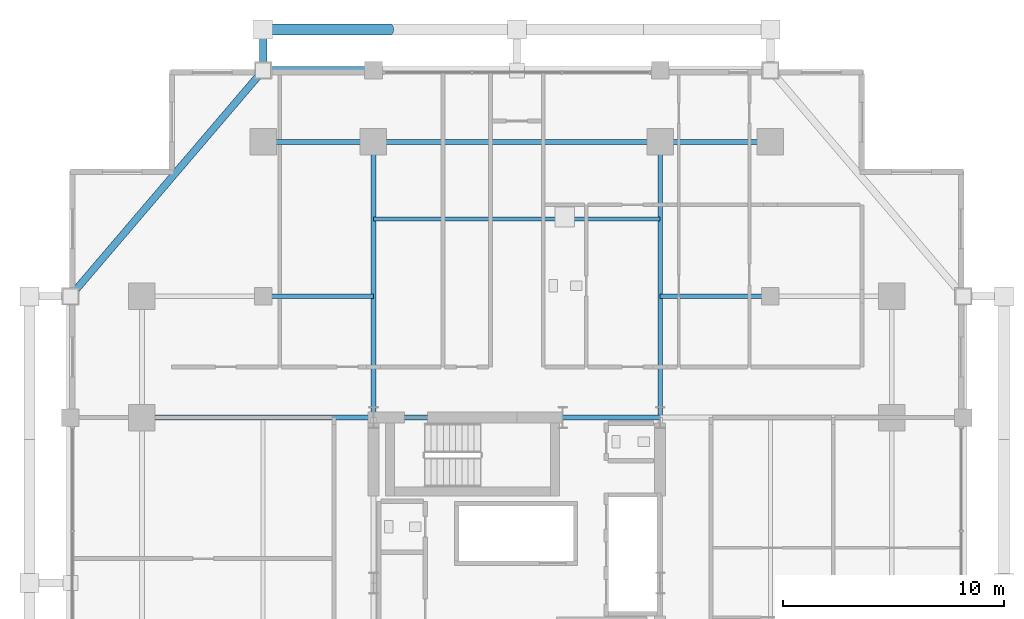
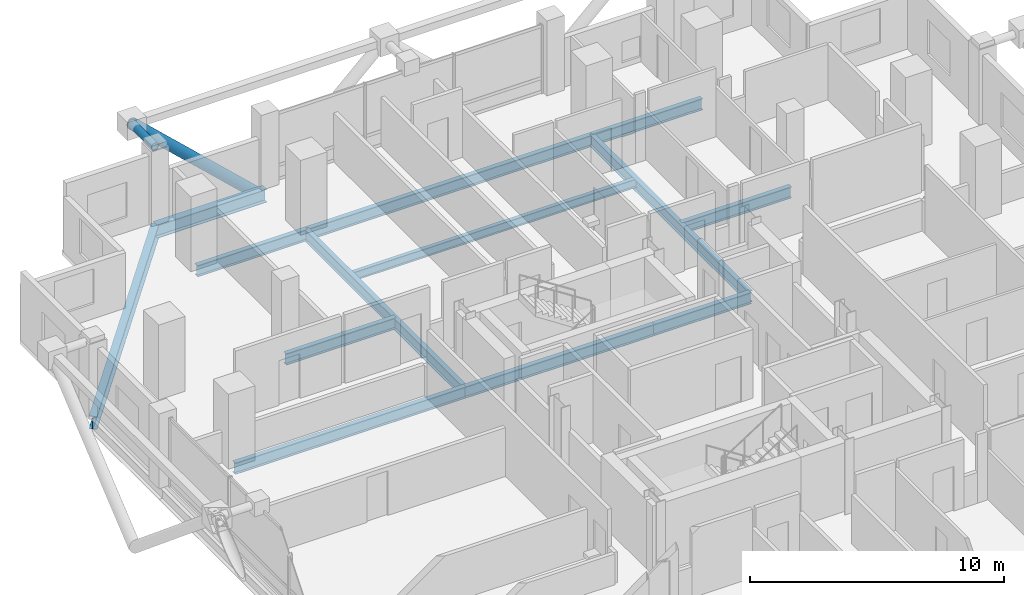
# One storey, part 13 of 25: 13 beams, 2 members.
"""IFC4 building model written with IfcOpenShell, lengths in metres."""

from ifc_helpers import new_model, si_unit, direction, frame, origin, origin_2d, place, context, subcontext, project, spatial, hollow_circle, i_section, extrude, material, material_profile, profile_set, type_object, element, save


model = new_model("IFC4")

# Units and contexts
model_context = context("Model", 3, precision=1e-05, world=origin(), true_north=direction((0.0, 1.0)))
body_context = subcontext(model_context, "Body", "Model", "MODEL_VIEW")
ifc_project = project(units=[si_unit("LENGTHUNIT", "METRE"), si_unit("AREAUNIT", "SQUARE_METRE"), si_unit("VOLUMEUNIT", "CUBIC_METRE"), si_unit("PLANEANGLEUNIT", "RADIAN"), si_unit("MASSUNIT", "GRAM", prefix="KILO")], contexts=[model_context])

# Site, building, storey
site_placement = place(None, origin())
site = spatial("IfcSite", under=ifc_project, at=site_placement, CompositionType="ELEMENT")
building_placement = place(site_placement, origin())
building = spatial("IfcBuilding", under=site, at=building_placement, Name="Barlavira Tower and Art Museum", CompositionType="ELEMENT")
storey_placement = place(building_placement, frame((0.0, 0.0, 162.0)))
storey = spatial("IfcBuildingStorey", under=building, at=storey_placement, Name="L41", CompositionType="ELEMENT", Elevation=162.0)

# Members
ifc_material = material(Name="Steel S355", Category="steel")
ifc_material_profile_1 = material_profile(ifc_material, hollow_circle(Radius=0.25390625, WallThickness=0.022216796875, at=origin_2d()), Name="CHS 508.0x22.2")
ifc_profile_set_1 = profile_set([ifc_material_profile_1], Name="Steel S355")
member_type_1 = type_object("IfcMemberType", Name="Pale-Metal Exoskeleton Diagrid Tube CHS 508x22 Steel S355", PredefinedType="BRACE", material=ifc_profile_set_1)
member_1_placement = place(storey_placement, frame((-5.75, 25.10009765625, -1.919921875), z_axis=(-0.728950095515, 0.0, 0.684566839869), x_axis=(0.0, -1.0, 0.0)))
element("IfcMember", 1, at=member_1_placement, inside=storey, type_object=member_type_1, Name="L41 Exoskeleton Diagrid Tube N", PredefinedType="BRACE", context=body_context, shape_type="SweptSolid", body=[
    extrude(hollow_circle(Radius=0.25390625, WallThickness=0.022216796875, at=origin_2d()), origin(), (0.0, 0.0, 1.0), 7.887939453125),
])
ifc_material_profile_2 = material_profile(ifc_material, hollow_circle(Radius=0.177734375, WallThickness=0.01611328125, at=origin_2d()), Name="CHS 355.6x16.0")
ifc_profile_set_2 = profile_set([ifc_material_profile_2], Name="Steel S355")
member_type_2 = type_object("IfcMemberType", Name="Pale-Metal Exoskeleton Tie Strut CHS 356x16 Steel S355", PredefinedType="STRUT", material=ifc_profile_set_2)
member_2_placement = place(storey_placement, frame((-11.5, 25.10009765625, 3.47998046875), z_axis=(0.0, -1.0, 0.0), x_axis=(1.0, 0.0, 0.0)))
element("IfcMember", 2, at=member_2_placement, inside=storey, type_object=member_type_2, Name="L41 Exoskeleton Top Tie Strut N1", PredefinedType="STRUT", context=body_context, shape_type="SweptSolid", body=[
    extrude(hollow_circle(Radius=0.177734375, WallThickness=0.01611328125, at=origin_2d()), origin(), (0.0, 0.0, 1.0), 1.85009765625),
])

# Beams
ifc_material_profile_3 = material_profile(ifc_material, i_section(OverallWidth=0.327880859375, OverallDepth=0.62890625, WebThickness=0.013916015625, FlangeThickness=0.021484375, at=origin_2d()), Name="W610x174.0")
ifc_profile_set_3 = profile_set([ifc_material_profile_3], Name="Steel S355")
beam_type_1 = type_object("IfcBeamType", Name="Perimeter Spandrel Edge Beam W610x174 Steel S355", PredefinedType="SPANDREL", material=ifc_profile_set_3)
beam_1_placement = place(storey_placement, frame((-11.5, 23.25, -0.534423828125), z_axis=(1.0, 0.0, 0.0), x_axis=(0.0, 1.0, 0.0)))
element("IfcBeam", 3, at=beam_1_placement, inside=storey, type_object=beam_type_1, Name="L41 Spandrel 11", PredefinedType="SPANDREL", context=body_context, shape_type="SweptSolid", body=[
    extrude(i_section(OverallWidth=0.327880859375, OverallDepth=0.62890625, WebThickness=0.013916015625, FlangeThickness=0.021484375, at=origin_2d()), origin(), (0.0, 0.0, 1.0), 5.0),
])
beam_2_placement = place(storey_placement, frame((-11.5, 23.25, -0.534423828125), z_axis=(-0.649262379928, -0.760564502202, 0.0), x_axis=(0.760564502202, -0.649262379928, 0.0)))
element("IfcBeam", 4, at=beam_2_placement, inside=storey, type_object=beam_type_1, Name="L41 Spandrel 12", PredefinedType="SPANDREL", context=body_context, shape_type="SweptSolid", body=[
    extrude(i_section(OverallWidth=0.327880859375, OverallDepth=0.62890625, WebThickness=0.013916015625, FlangeThickness=0.021484375, at=origin_2d()), origin(), (0.0, 0.0, 1.0), 13.476806640625),
])
ifc_material_profile_4 = material_profile(ifc_material, i_section(OverallWidth=0.214111328125, OverallDepth=0.549072265625, WebThickness=0.0146484375, FlangeThickness=0.023681640625, at=origin_2d()), Name="W530x138.0")
ifc_profile_set_4 = profile_set([ifc_material_profile_4], Name="Steel S355")
beam_type_2 = type_object("IfcBeamType", Name="Zone 1 Primary Floor Girder W530x138 Steel S355", PredefinedType="BEAM", material=ifc_profile_set_4)
beam_3_placement = place(storey_placement, frame((-6.5, 7.5, -0.494384765625), z_axis=(1.0, 0.0, 0.0), x_axis=(0.0, 1.0, 0.0)))
element("IfcBeam", 5, at=beam_3_placement, inside=storey, type_object=beam_type_2, Name="L41 Girder C-N1", PredefinedType="BEAM", context=body_context, shape_type="SweptSolid", body=[
    extrude(i_section(OverallWidth=0.214111328125, OverallDepth=0.549072265625, WebThickness=0.0146484375, FlangeThickness=0.023681640625, at=origin_2d()), origin(), (0.0, 0.0, 1.0), 8.580078125),
])
beam_4_placement = place(storey_placement, frame((2.080078125, 7.5, -0.494384765625), z_axis=(1.0, 0.0, 0.0), x_axis=(0.0, 1.0, 0.0)))
element("IfcBeam", 6, at=beam_4_placement, inside=storey, type_object=beam_type_2, Name="L41 Girder C-N2", PredefinedType="BEAM", context=body_context, shape_type="SweptSolid", body=[
    extrude(i_section(OverallWidth=0.214111328125, OverallDepth=0.549072265625, WebThickness=0.0146484375, FlangeThickness=0.023681640625, at=origin_2d()), origin(), (0.0, 0.0, 1.0), 4.419921875),
])
beam_5_placement = place(storey_placement, frame((-11.5, 20.0, -0.494384765625), z_axis=(1.0, 0.0, 0.0), x_axis=(0.0, 1.0, 0.0)))
element("IfcBeam", 7, at=beam_5_placement, inside=storey, type_object=beam_type_2, Name="L41 Girder M-N1", PredefinedType="BEAM", context=body_context, shape_type="SweptSolid", body=[
    extrude(i_section(OverallWidth=0.214111328125, OverallDepth=0.549072265625, WebThickness=0.0146484375, FlangeThickness=0.023681640625, at=origin_2d()), origin(), (0.0, 0.0, 1.0), 5.0),
])
beam_6_placement = place(storey_placement, frame((-6.5, 20.0, -0.494384765625), z_axis=(1.0, 0.0, 0.0), x_axis=(0.0, 1.0, 0.0)))
element("IfcBeam", 8, at=beam_6_placement, inside=storey, type_object=beam_type_2, Name="L41 Girder M-N2", PredefinedType="BEAM", context=body_context, shape_type="SweptSolid", body=[
    extrude(i_section(OverallWidth=0.214111328125, OverallDepth=0.549072265625, WebThickness=0.0146484375, FlangeThickness=0.023681640625, at=origin_2d()), origin(), (0.0, 0.0, 1.0), 13.0),
])
beam_7_placement = place(storey_placement, frame((6.5, 20.0, -0.494384765625), z_axis=(1.0, 0.0, 0.0), x_axis=(0.0, 1.0, 0.0)))
element("IfcBeam", 9, at=beam_7_placement, inside=storey, type_object=beam_type_2, Name="L41 Girder M-N3", PredefinedType="BEAM", context=body_context, shape_type="SweptSolid", body=[
    extrude(i_section(OverallWidth=0.214111328125, OverallDepth=0.549072265625, WebThickness=0.0146484375, FlangeThickness=0.023681640625, at=origin_2d()), origin(), (0.0, 0.0, 1.0), 5.0),
])
for number, where, z_axis, x_axis, name in (
    (10, (-6.5, 7.5, -0.494384765625), (0.0, 1.0, 0.0), (-1.0, 0.0, 0.0), "L41 Girder R-N1"),
    (11, (6.5, 7.5, -0.494384765625), (0.0, 1.0, 0.0), (-1.0, 0.0, 0.0), "L41 Girder R-N2"),
):
    element("IfcBeam", number, at=place(storey_placement, frame(where, z_axis=z_axis, x_axis=x_axis)), inside=storey, type_object=beam_type_2, Name=name, PredefinedType="BEAM", context=body_context, shape_type="SweptSolid", body=[
        extrude(i_section(OverallWidth=0.214111328125, OverallDepth=0.549072265625, WebThickness=0.0146484375, FlangeThickness=0.023681640625, at=origin_2d()), origin(), (0.0, 0.0, 1.0), 12.5),
    ])
beam_8_placement = place(storey_placement, frame((-17.0, 7.5, -0.494384765625), z_axis=(1.0, 0.0, 0.0), x_axis=(0.0, 1.0, 0.0)))
element("IfcBeam", 12, at=beam_8_placement, inside=storey, type_object=beam_type_2, Name="L41 Girder R-W2", PredefinedType="BEAM", context=body_context, shape_type="SweptSolid", body=[
    extrude(i_section(OverallWidth=0.214111328125, OverallDepth=0.549072265625, WebThickness=0.0146484375, FlangeThickness=0.023681640625, at=origin_2d()), origin(), (0.0, 0.0, 1.0), 10.5),
])
for number, where, z_axis, x_axis, name in (
    (13, (-11.5, 13.0, -0.494384765625), (1.0, 0.0, 0.0), (0.0, 1.0, 0.0), "L41 Girder I-N2"),
    (14, (6.5, 13.0, -0.494384765625), (1.0, 0.0, 0.0), (0.0, 1.0, 0.0), "L41 Girder I-N3"),
):
    element("IfcBeam", number, at=place(storey_placement, frame(where, z_axis=z_axis, x_axis=x_axis)), inside=storey, type_object=beam_type_2, Name=name, PredefinedType="BEAM", context=body_context, shape_type="SweptSolid", body=[
        extrude(i_section(OverallWidth=0.214111328125, OverallDepth=0.549072265625, WebThickness=0.0146484375, FlangeThickness=0.023681640625, at=origin_2d()), origin(), (0.0, 0.0, 1.0), 5.0),
    ])
ifc_material_profile_5 = material_profile(ifc_material, i_section(OverallWidth=0.179931640625, OverallDepth=0.4130859375, WebThickness=0.009765625, FlangeThickness=0.01611328125, at=origin_2d()), Name="W410x75.0")
ifc_profile_set_5 = profile_set([ifc_material_profile_5], Name="Steel S355")
beam_type_3 = type_object("IfcBeamType", Name="Zone 2 Composite Floor Joist W410x75 Steel S355", PredefinedType="JOIST", material=ifc_profile_set_5)
beam_9_placement = place(storey_placement, frame((-6.5, 16.5, -0.426513671875), z_axis=(1.0, 0.0, 0.0), x_axis=(0.0, 1.0, 0.0)))
element("IfcBeam", 15, at=beam_9_placement, inside=storey, type_object=beam_type_3, Name="L41 Joist C2", PredefinedType="JOIST", context=body_context, shape_type="SweptSolid", body=[
    extrude(i_section(OverallWidth=0.179931640625, OverallDepth=0.4130859375, WebThickness=0.009765625, FlangeThickness=0.01611328125, at=origin_2d()), origin(), (0.0, 0.0, 1.0), 13.0),
])

save(model, "model.ifc")
